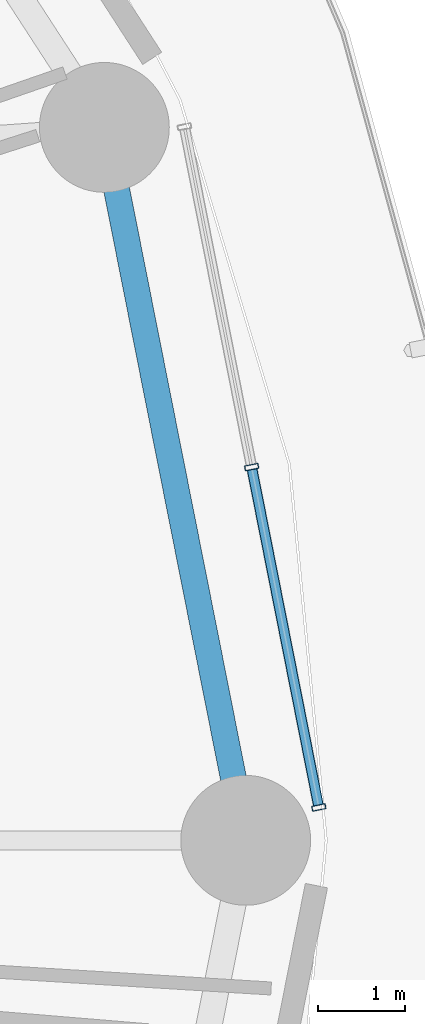
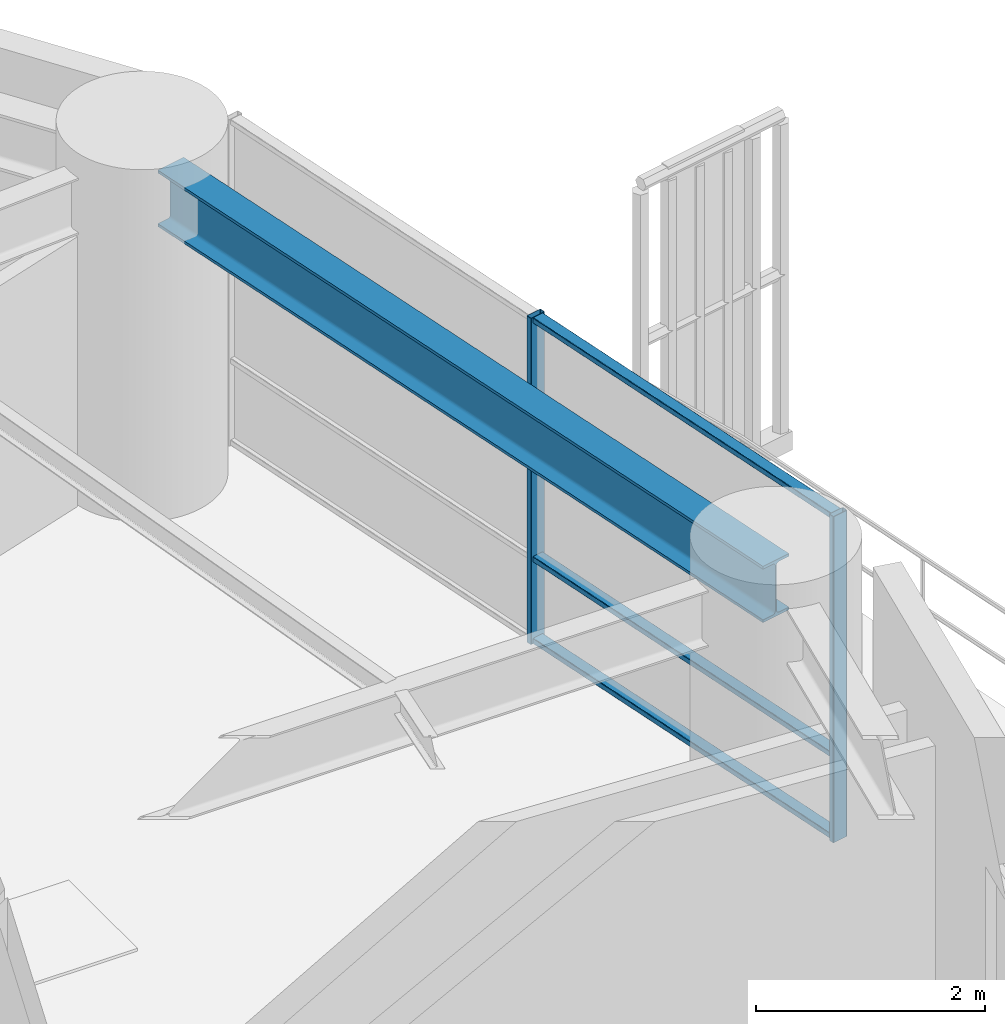
# One storey, part 14 of 31: 5 members, 1 beam, 1 element without a shape of its own.
"""IFC4 building model written with IfcOpenShell, lengths in metres."""

from ifc_helpers import new_model, si_unit, direction, frame, origin, origin_2d, place, context, subcontext, project, spatial, hollow_rectangle, i_section, extrude, material, layer, layer_set, material_profile, profile_set, type_object, element, aggregate, save


model = new_model("IFC4")

# Units and contexts
model_context = context("Model", 3, precision=1e-05, world=origin(), true_north=direction((0.0, 1.0)))
body_context = subcontext(model_context, "Body", "Model", "MODEL_VIEW")
ifc_project = project(units=[si_unit("LENGTHUNIT", "METRE"), si_unit("AREAUNIT", "SQUARE_METRE"), si_unit("VOLUMEUNIT", "CUBIC_METRE"), si_unit("PLANEANGLEUNIT", "RADIAN"), si_unit("MASSUNIT", "GRAM", prefix="KILO")], contexts=[model_context])

# Site, building, storey
site_placement = place(None, origin())
site = spatial("IfcSite", under=ifc_project, at=site_placement, CompositionType="ELEMENT")
building_placement = place(site_placement, origin())
building = spatial("IfcBuilding", under=site, at=building_placement, Name="Kelanora Arch Commons", CompositionType="ELEMENT")
storey_placement = place(building_placement, frame((0.0, 0.0, 63.75)))
storey = spatial("IfcBuildingStorey", under=building, at=storey_placement, Name="L16", CompositionType="ELEMENT", Elevation=63.75)

# Beam
ifc_material_1 = material(Name="Steel S355", Category="steel")
ifc_material_profile_1 = material_profile(ifc_material_1, i_section(OverallWidth=0.300048828125, OverallDepth=0.60009765625, WebThickness=0.015380859375, FlangeThickness=0.030029296875, FilletRadius=0.027099609375, at=origin_2d()), Name="HEB600")
ifc_profile_set_1 = profile_set([ifc_material_profile_1], Name="Steel S355")
beam_type = type_object("IfcBeamType", Name="BM-SPN-Z1", PredefinedType="SPANDREL", material=ifc_profile_set_1)
beam_placement = place(storey_placement, frame((101.080078125, 58.0, 3.18994140625), z_axis=(-0.194522790633, 0.980897998736, 0.0), x_axis=(-0.980897998736, -0.194522790633, 0.0)))
element("IfcBeam", 1, at=beam_placement, inside=storey, type_object=beam_type, Name="Perimeter Spandrel Beam BS-00 L16", PredefinedType="SPANDREL", context=body_context, shape_type="SweptSolid", body=[
    extrude(i_section(OverallWidth=0.300048828125, OverallDepth=0.60009765625, WebThickness=0.015380859375, FlangeThickness=0.030029296875, FilletRadius=0.027099609375, at=origin_2d()), origin(), (0.0, 0.0, 1.0), 8.01611328125),
])

# Curtain wall, members
ifc_material_2 = material(Name="Terracotta ceramic-fritted low-E glass and aluminium", Category="masonry")
ifc_layer = layer(ifc_material_2, 0.159912109375)
ifc_layer_set = layer_set([ifc_layer], Name="Terracotta ceramic-fritted low-E glass and aluminium")
curtain_wall_type = type_object("IfcCurtainWallType", Name="CW-SYS-01", PredefinedType="NOTDEFINED", material=ifc_layer_set)
curtain_wall_placement = place(storey_placement, origin())
curtain_wall = element("IfcCurtainWall", 2, at=curtain_wall_placement, inside=storey, type_object=curtain_wall_type, Name="Unitised Curtain Wall L16-B00", PredefinedType="NOTDEFINED")
ifc_material_3 = material(Name="Powder-coated aluminium terracotta", Category="masonry")
ifc_material_profile_2 = material_profile(ifc_material_3, hollow_rectangle(XDim=0.159912109375, YDim=0.06005859375, WallThickness=0.0048828125, InnerFilletRadius=0.0048828125, OuterFilletRadius=0.010009765625, at=origin_2d()), Name="CWM160x60")
ifc_profile_set_2 = profile_set([ifc_material_profile_2], Name="Powder-coated aluminium terracotta")
member_type_1 = type_object("IfcMemberType", Name="CWM-STD", PredefinedType="MULLION", material=ifc_profile_set_2)
member_1_placement = place(storey_placement, frame((101.925048828125, 58.379150390625, 0.0), z_axis=(0.0, 0.0, 1.0), x_axis=(-0.981052110579, -0.193744048498, 0.0)))
member_1 = element("IfcMember", 3, at=member_1_placement, type_object=member_type_1, Name="CW-01 mullion 1", PredefinedType="MULLION", context=body_context, shape_type="SweptSolid", body=[
    extrude(hollow_rectangle(XDim=0.159912109375, YDim=0.06005859375, WallThickness=0.0048828125, InnerFilletRadius=0.0048828125, OuterFilletRadius=0.010009765625, at=origin_2d()), origin(), (0.0, 0.0, 1.0), 3.47509765625),
])
member_2_placement = place(storey_placement, frame((101.1484375, 62.3115234375, 0.0), z_axis=(0.0, 0.0, 1.0), x_axis=(-0.981052110579, -0.193744048498, 0.0)))
member_2 = element("IfcMember", 4, at=member_2_placement, type_object=member_type_1, Name="CW-01 mullion 2", PredefinedType="MULLION", context=body_context, shape_type="SweptSolid", body=[
    extrude(hollow_rectangle(XDim=0.159912109375, YDim=0.06005859375, WallThickness=0.0048828125, InnerFilletRadius=0.0048828125, OuterFilletRadius=0.010009765625, at=origin_2d()), origin(), (0.0, 0.0, 1.0), 3.47509765625),
])
ifc_material_profile_3 = material_profile(ifc_material_3, hollow_rectangle(XDim=0.1201171875, YDim=0.06005859375, WallThickness=0.0048828125, InnerFilletRadius=0.0048828125, OuterFilletRadius=0.010009765625, at=origin_2d()), Name="CWT120x60")
ifc_profile_set_3 = profile_set([ifc_material_profile_3], Name="Powder-coated aluminium terracotta")
member_type_2 = type_object("IfcMemberType", Name="CWT-STD", PredefinedType="USERDEFINED", material=ifc_profile_set_3)
member_3_placement = place(storey_placement, frame((101.919189453125, 58.408447265625, 0.030029296875), z_axis=(-0.193725436624, 0.98105578598, 0.0), x_axis=(-0.98105578598, -0.193725436624, 0.0)))
member_3 = element("IfcMember", 5, at=member_3_placement, type_object=member_type_2, Name="CW-01 transom 1.1", ObjectType="TRANSOM", PredefinedType="USERDEFINED", context=body_context, shape_type="SweptSolid", body=[
    extrude(hollow_rectangle(XDim=0.1201171875, YDim=0.06005859375, WallThickness=0.0048828125, InnerFilletRadius=0.0048828125, OuterFilletRadius=0.010009765625, at=origin_2d()), origin(), (0.0, 0.0, 1.0), 3.9482421875),
])
member_4_placement = place(storey_placement, frame((101.919189453125, 58.408447265625, 0.89990234375), z_axis=(-0.193725436624, 0.98105578598, 0.0), x_axis=(-0.98105578598, -0.193725436624, 0.0)))
member_4 = element("IfcMember", 6, at=member_4_placement, type_object=member_type_2, Name="CW-01 transom 1.2", ObjectType="TRANSOM", PredefinedType="USERDEFINED", context=body_context, shape_type="SweptSolid", body=[
    extrude(hollow_rectangle(XDim=0.1201171875, YDim=0.06005859375, WallThickness=0.0048828125, InnerFilletRadius=0.0048828125, OuterFilletRadius=0.010009765625, at=origin_2d()), origin(), (0.0, 0.0, 1.0), 3.9482421875),
])
member_5_placement = place(storey_placement, frame((101.919189453125, 58.408447265625, 3.445068359375), z_axis=(-0.193725436624, 0.98105578598, 0.0), x_axis=(-0.98105578598, -0.193725436624, 0.0)))
member_5 = element("IfcMember", 7, at=member_5_placement, type_object=member_type_2, Name="CW-01 transom 1.3", ObjectType="TRANSOM", PredefinedType="USERDEFINED", context=body_context, shape_type="SweptSolid", body=[
    extrude(hollow_rectangle(XDim=0.1201171875, YDim=0.06005859375, WallThickness=0.0048828125, InnerFilletRadius=0.0048828125, OuterFilletRadius=0.010009765625, at=origin_2d()), origin(), (0.0, 0.0, 1.0), 3.9482421875),
])
aggregate(curtain_wall, [member_1, member_2, member_3, member_4, member_5])

save(model, "model.ifc")
